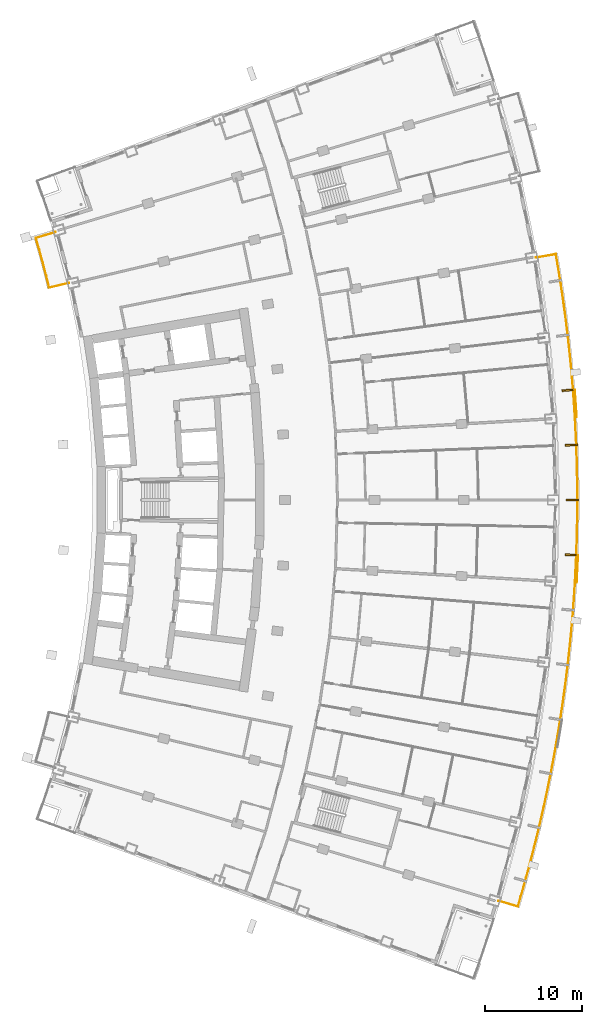
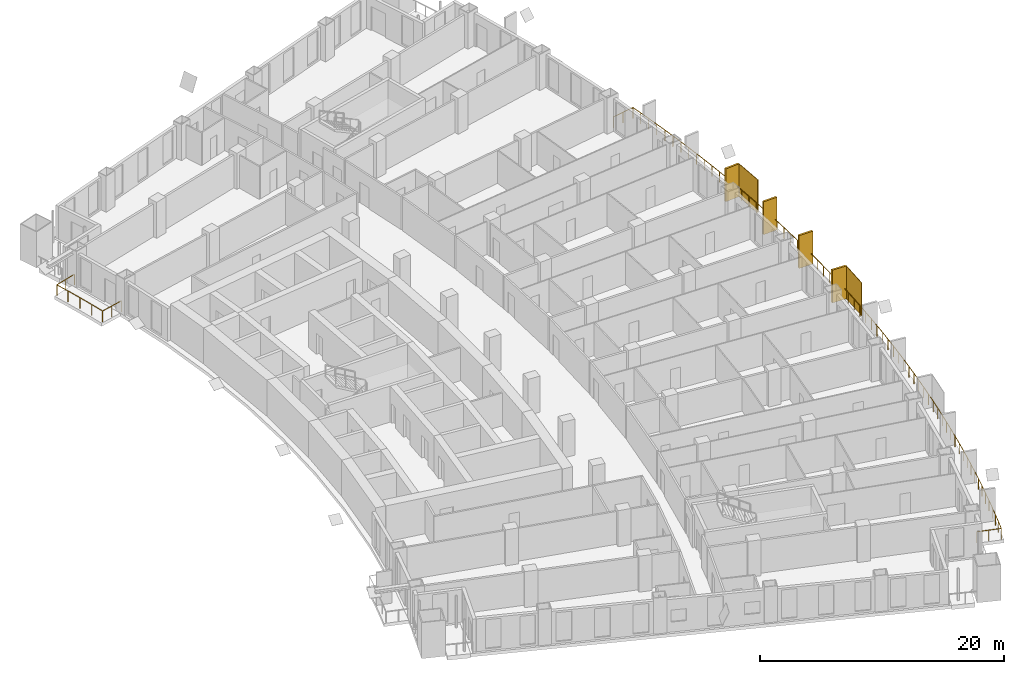
# One storey, part 23 of 24: 6 shading devices, 2 railings.
"""IFC4 building model written with IfcOpenShell, lengths in metres."""

from ifc_helpers import new_model, si_unit, direction, frame, origin, origin_2d, place, context, subcontext, project, spatial, rectangle, extrude, material, layer, layer_set, type_object, element, save


model = new_model("IFC4")

# Units and contexts
model_context = context("Model", 3, precision=1e-05, world=origin(), true_north=direction((0.0, 1.0)))
body_context = subcontext(model_context, "Body", "Model", "MODEL_VIEW")
ifc_project = project(units=[si_unit("LENGTHUNIT", "METRE"), si_unit("AREAUNIT", "SQUARE_METRE"), si_unit("VOLUMEUNIT", "CUBIC_METRE"), si_unit("PLANEANGLEUNIT", "RADIAN"), si_unit("MASSUNIT", "GRAM", prefix="KILO")], contexts=[model_context])

# Site, building, storey
site_placement = place(None, origin())
site = spatial("IfcSite", under=ifc_project, at=site_placement, CompositionType="ELEMENT")
building_placement = place(site_placement, origin())
building = spatial("IfcBuilding", under=site, at=building_placement, Name="Alderwake Tower", CompositionType="ELEMENT")
storey_placement = place(building_placement, frame((0.0, 0.0, 39.199951171875)))
storey = spatial("IfcBuildingStorey", under=building, at=storey_placement, Name="L08", CompositionType="ELEMENT", Elevation=39.199951171875)

# Railings
ifc_material_1 = material(Name="Stainless steel 316 rail and posts", Category="steel")
railing_type = type_object("IfcRailingType", Name="Balcony guard 1100", PredefinedType="GUARDRAIL", material=ifc_material_1)
railing_1_placement = place(storey_placement, frame((57.755126953125, 19.744873046875, 0.0)))
element("IfcRailing", 1, at=railing_1_placement, inside=storey, type_object=railing_type, Name="Guard BF02", PredefinedType="GUARDRAIL", context=body_context, shape_type="SweptSolid", body=[
    extrude(rectangle(XDim=0.048095703125, YDim=0.048095703125, at=origin_2d()), frame((0.0, 0.0, 1.076171875), z_axis=(0.957954179098, -0.286921227429, 0.0), x_axis=(0.286921227429, 0.957954179098, 0.0)), (0.0, 0.0, 1.0), 2.10009765625),
    extrude(rectangle(XDim=0.048095703125, YDim=0.048095703125, at=origin_2d()), frame((2.01171875, -0.6025390625, 1.076171875), z_axis=(0.280171060033, 0.959950090953, 0.0), x_axis=(-0.959950090953, 0.280171060033, 0.0)), (0.0, 0.0, 1.0), 2.02783203125),
    extrude(rectangle(XDim=0.048095703125, YDim=0.048095703125, at=origin_2d()), frame((2.579833984375, 1.343994140625, 1.076171875), z_axis=(0.266542966144, 0.963823037284, 0.0), x_axis=(-0.963823037284, 0.266542966144, 0.0)), (0.0, 0.0, 1.0), 2.127685546875),
    extrude(rectangle(XDim=0.048095703125, YDim=0.048095703125, at=origin_2d()), frame((3.14697265625, 3.394775390625, 1.076171875), z_axis=(0.252459268242, 0.967607522645, 0.0), x_axis=(-0.967607522645, 0.252459268242, 0.0)), (0.0, 0.0, 1.0), 2.12744140625),
    extrude(rectangle(XDim=0.048095703125, YDim=0.048095703125, at=origin_2d()), frame((3.68408203125, 5.453369140625, 1.076171875), z_axis=(0.238321589678, 0.971186295153, 0.0), x_axis=(-0.971186295153, 0.238321589678, 0.0)), (0.0, 0.0, 1.0), 2.127685546875),
    extrude(rectangle(XDim=0.048095703125, YDim=0.048095703125, at=origin_2d()), frame((4.191162109375, 7.519775390625, 1.076171875), z_axis=(0.22408012989, 0.974570723646, 0.0), x_axis=(-0.974570723646, 0.22408012989, 0.0)), (0.0, 0.0, 1.0), 2.1279296875),
    extrude(rectangle(XDim=0.048095703125, YDim=0.048095703125, at=origin_2d()), frame((4.66796875, 9.593505859375, 1.076171875), z_axis=(0.209866030644, 0.977730151515, 0.0), x_axis=(-0.977730151515, 0.209866030644, 0.0)), (0.0, 0.0, 1.0), 2.127685546875),
    extrude(rectangle(XDim=0.048095703125, YDim=0.048095703125, at=origin_2d()), frame((5.114501953125, 11.673828125, 1.076171875), z_axis=(0.195652690442, 0.980673250743, 0.0), x_axis=(-0.980673250743, 0.195652690442, 0.0)), (0.0, 0.0, 1.0), 2.12744140625),
    extrude(rectangle(XDim=0.048095703125, YDim=0.048095703125, at=origin_2d()), frame((5.53076171875, 13.76025390625, 1.076171875), z_axis=(0.1812880033, 0.98343004828, 0.0), x_axis=(-0.98343004828, 0.1812880033, 0.0)), (0.0, 0.0, 1.0), 2.127685546875),
    extrude(rectangle(XDim=0.048095703125, YDim=0.048095703125, at=origin_2d()), frame((5.91650390625, 15.852783203125, 1.076171875), z_axis=(0.166947539814, 0.985965779807, 0.0), x_axis=(-0.985965779807, 0.166947539814, 0.0)), (0.0, 0.0, 1.0), 2.127685546875),
    extrude(rectangle(XDim=0.048095703125, YDim=0.048095703125, at=origin_2d()), frame((6.271728515625, 17.95068359375, 1.076171875), z_axis=(0.152496916834, 0.988303946343, 0.0), x_axis=(-0.988303946343, 0.152496916834, 0.0)), (0.0, 0.0, 1.0), 2.127685546875),
    extrude(rectangle(XDim=0.048095703125, YDim=0.048095703125, at=origin_2d()), frame((6.59619140625, 20.053466796875, 1.076171875), z_axis=(0.138046822125, 0.990425703877, 0.0), x_axis=(-0.990425703877, 0.138046822125, 0.0)), (0.0, 0.0, 1.0), 2.12744140625),
    extrude(rectangle(XDim=0.048095703125, YDim=0.048095703125, at=origin_2d()), frame((6.889892578125, 22.16064453125, 1.076171875), z_axis=(0.123695786423, 0.992320186442, 0.0), x_axis=(-0.992320186442, 0.123695786423, 0.0)), (0.0, 0.0, 1.0), 2.127685546875),
    extrude(rectangle(XDim=0.048095703125, YDim=0.048095703125, at=origin_2d()), frame((7.153076171875, 24.27197265625, 1.076171875), z_axis=(0.109121667916, 0.994028400797, 0.0), x_axis=(-0.994028400797, 0.109121667916, 0.0)), (0.0, 0.0, 1.0), 2.127685546875),
    extrude(rectangle(XDim=0.048095703125, YDim=0.048095703125, at=origin_2d()), frame((7.38525390625, 26.386962890625, 1.076171875), z_axis=(0.094662891104, 0.995509385716, 0.0), x_axis=(-0.995509385716, 0.094662891104, 0.0)), (0.0, 0.0, 1.0), 2.127685546875),
    extrude(rectangle(XDim=0.048095703125, YDim=0.048095703125, at=origin_2d()), frame((7.586669921875, 28.505126953125, 1.076171875), z_axis=(0.080091823172, 0.99678748982, 0.0), x_axis=(-0.99678748982, 0.080091823172, 0.0)), (0.0, 0.0, 1.0), 2.127685546875),
    extrude(rectangle(XDim=0.048095703125, YDim=0.048095703125, at=origin_2d()), frame((7.757080078125, 30.6259765625, 1.076171875), z_axis=(0.065635530774, 0.997843663657, 0.0), x_axis=(-0.997843663657, 0.065635530774, 0.0)), (0.0, 0.0, 1.0), 2.127685546875),
    extrude(rectangle(XDim=0.048095703125, YDim=0.048095703125, at=origin_2d()), frame((7.896728515625, 32.7490234375, 1.076171875), z_axis=(0.051059231835, 0.998695626727, 0.0), x_axis=(-0.998695626727, 0.051059231835, 0.0)), (0.0, 0.0, 1.0), 2.127685546875),
    extrude(rectangle(XDim=0.048095703125, YDim=0.048095703125, at=origin_2d()), frame((8.00537109375, 34.8740234375, 1.076171875), z_axis=(0.036375038735, 0.999338209295, 0.0), x_axis=(-0.999338209295, 0.036375038735, 0.0)), (0.0, 0.0, 1.0), 2.127685546875),
    extrude(rectangle(XDim=0.048095703125, YDim=0.048095703125, at=origin_2d()), frame((8.082763671875, 37.000244140625, 1.076171875), z_axis=(0.021916001925, 0.999759815586, 0.0), x_axis=(-0.999759815586, 0.021916001925, 0.0)), (0.0, 0.0, 1.0), 2.127685546875),
    extrude(rectangle(XDim=0.048095703125, YDim=0.048095703125, at=origin_2d()), frame((8.12939453125, 39.12744140625, 1.076171875), z_axis=(0.007228726789, 0.999973872413, 0.0), x_axis=(-0.999973872413, 0.007228726789, 0.0)), (0.0, 0.0, 1.0), 2.127685546875),
    extrude(rectangle(XDim=0.048095703125, YDim=0.048095703125, at=origin_2d()), frame((8.144775390625, 41.255126953125, 1.076171875), z_axis=(-0.007228726789, 0.999973872413, 0.0), x_axis=(-0.999973872413, -0.007228726789, 0.0)), (0.0, 0.0, 1.0), 2.127685546875),
    extrude(rectangle(XDim=0.048095703125, YDim=0.048095703125, at=origin_2d()), frame((8.12939453125, 43.3828125, 1.076171875), z_axis=(-0.021916001925, 0.999759815586, 0.0), x_axis=(-0.999759815586, -0.021916001925, 0.0)), (0.0, 0.0, 1.0), 2.127685546875),
    extrude(rectangle(XDim=0.048095703125, YDim=0.048095703125, at=origin_2d()), frame((8.082763671875, 45.510009765625, 1.076171875), z_axis=(-0.036375038735, 0.999338209295, 0.0), x_axis=(-0.999338209295, -0.036375038735, 0.0)), (0.0, 0.0, 1.0), 2.127685546875),
    extrude(rectangle(XDim=0.048095703125, YDim=0.048095703125, at=origin_2d()), frame((8.00537109375, 47.63623046875, 1.076171875), z_axis=(-0.051059231835, 0.998695626727, 0.0), x_axis=(-0.998695626727, -0.051059231835, 0.0)), (0.0, 0.0, 1.0), 2.127685546875),
    extrude(rectangle(XDim=0.048095703125, YDim=0.048095703125, at=origin_2d()), frame((7.896728515625, 49.76123046875, 1.076171875), z_axis=(-0.065635530774, 0.997843663657, 0.0), x_axis=(-0.997843663657, -0.065635530774, 0.0)), (0.0, 0.0, 1.0), 2.127685546875),
    extrude(rectangle(XDim=0.048095703125, YDim=0.048095703125, at=origin_2d()), frame((7.757080078125, 51.88427734375, 1.076171875), z_axis=(-0.080091823172, 0.99678748982, 0.0), x_axis=(-0.99678748982, -0.080091823172, 0.0)), (0.0, 0.0, 1.0), 2.127685546875),
    extrude(rectangle(XDim=0.048095703125, YDim=0.048095703125, at=origin_2d()), frame((7.586669921875, 54.005126953125, 1.076171875), z_axis=(-0.094662891104, 0.995509385716, 0.0), x_axis=(-0.995509385716, -0.094662891104, 0.0)), (0.0, 0.0, 1.0), 2.127685546875),
    extrude(rectangle(XDim=0.048095703125, YDim=0.048095703125, at=origin_2d()), frame((7.38525390625, 56.123291015625, 1.076171875), z_axis=(-0.109121667916, 0.994028400797, 0.0), x_axis=(-0.994028400797, -0.109121667916, 0.0)), (0.0, 0.0, 1.0), 2.127685546875),
    extrude(rectangle(XDim=0.048095703125, YDim=0.048095703125, at=origin_2d()), frame((7.153076171875, 58.23828125, 1.076171875), z_axis=(-0.123695786423, 0.992320186442, 0.0), x_axis=(-0.992320186442, -0.123695786423, 0.0)), (0.0, 0.0, 1.0), 2.127685546875),
    extrude(rectangle(XDim=0.048095703125, YDim=0.048095703125, at=origin_2d()), frame((6.889892578125, 60.349609375, 1.076171875), z_axis=(-0.138046822125, 0.990425703877, 0.0), x_axis=(-0.990425703877, -0.138046822125, 0.0)), (0.0, 0.0, 1.0), 2.12744140625),
    extrude(rectangle(XDim=0.048095703125, YDim=0.048095703125, at=origin_2d()), frame((6.59619140625, 62.456787109375, 1.076171875), z_axis=(-0.152496916834, 0.988303946343, 0.0), x_axis=(-0.988303946343, -0.152496916834, 0.0)), (0.0, 0.0, 1.0), 2.127685546875),
    extrude(rectangle(XDim=0.048095703125, YDim=0.048095703125, at=origin_2d()), frame((6.271728515625, 64.5595703125, 1.076171875), z_axis=(-0.166624216453, 0.986020471639, 0.0), x_axis=(-0.986020471639, -0.166624216453, 0.0)), (0.0, 0.0, 1.0), 2.02783203125),
    extrude(rectangle(XDim=0.048095703125, YDim=0.048095703125, at=origin_2d()), frame((5.933837890625, 66.55908203125, 1.076171875), z_axis=(-0.984840855066, -0.173460341844, 0.0), x_axis=(0.173460341844, -0.984840855066, 0.0)), (0.0, 0.0, 1.0), 2.099853515625),
    extrude(rectangle(XDim=0.0419921875, YDim=0.0419921875, at=origin_2d()), frame((0.0, 0.0, 0.0), z_axis=(0.0, 0.0, 1.0), x_axis=(0.957954179098, -0.286921227429, 0.0)), (0.0, 0.0, 1.0), 1.052001953125),
    extrude(rectangle(XDim=0.0419921875, YDim=0.0419921875, at=origin_2d()), frame((1.005859375, -0.30126953125, 0.0), z_axis=(0.0, 0.0, 1.0), x_axis=(0.957954179098, -0.286921227429, 0.0)), (0.0, 0.0, 1.0), 1.052001953125),
    extrude(rectangle(XDim=0.0419921875, YDim=0.0419921875, at=origin_2d()), frame((2.01171875, -0.6025390625, 0.0), z_axis=(0.0, 0.0, 1.0), x_axis=(0.280171060033, 0.959950090953, 0.0)), (0.0, 0.0, 1.0), 1.052001953125),
    extrude(rectangle(XDim=0.0419921875, YDim=0.0419921875, at=origin_2d()), frame((2.2958984375, 0.37060546875, 0.0), z_axis=(0.0, 0.0, 1.0), x_axis=(0.280171060033, 0.959950090953, 0.0)), (0.0, 0.0, 1.0), 1.052001953125),
    extrude(rectangle(XDim=0.0419921875, YDim=0.0419921875, at=origin_2d()), frame((2.579833984375, 1.343994140625, 0.0), z_axis=(0.0, 0.0, 1.0), x_axis=(0.266542966144, 0.963823037284, 0.0)), (0.0, 0.0, 1.0), 1.052001953125),
    extrude(rectangle(XDim=0.0419921875, YDim=0.0419921875, at=origin_2d()), frame((2.86328125, 2.369384765625, 0.0), z_axis=(0.0, 0.0, 1.0), x_axis=(0.266542966144, 0.963823037284, 0.0)), (0.0, 0.0, 1.0), 1.052001953125),
    extrude(rectangle(XDim=0.0419921875, YDim=0.0419921875, at=origin_2d()), frame((3.14697265625, 3.394775390625, 0.0), z_axis=(0.0, 0.0, 1.0), x_axis=(0.252459268242, 0.967607522645, 0.0)), (0.0, 0.0, 1.0), 1.052001953125),
    extrude(rectangle(XDim=0.0419921875, YDim=0.0419921875, at=origin_2d()), frame((3.41552734375, 4.424072265625, 0.0), z_axis=(0.0, 0.0, 1.0), x_axis=(0.252459268242, 0.967607522645, 0.0)), (0.0, 0.0, 1.0), 1.052001953125),
    extrude(rectangle(XDim=0.0419921875, YDim=0.0419921875, at=origin_2d()), frame((3.68408203125, 5.453369140625, 0.0), z_axis=(0.0, 0.0, 1.0), x_axis=(0.238321589678, 0.971186295153, 0.0)), (0.0, 0.0, 1.0), 1.052001953125),
    extrude(rectangle(XDim=0.0419921875, YDim=0.0419921875, at=origin_2d()), frame((3.9375, 6.486572265625, 0.0), z_axis=(0.0, 0.0, 1.0), x_axis=(0.238321589678, 0.971186295153, 0.0)), (0.0, 0.0, 1.0), 1.052001953125),
    extrude(rectangle(XDim=0.0419921875, YDim=0.0419921875, at=origin_2d()), frame((4.191162109375, 7.519775390625, 0.0), z_axis=(0.0, 0.0, 1.0), x_axis=(0.22408012989, 0.974570723646, 0.0)), (0.0, 0.0, 1.0), 1.052001953125),
    extrude(rectangle(XDim=0.0419921875, YDim=0.0419921875, at=origin_2d()), frame((4.4296875, 8.556640625, 0.0), z_axis=(0.0, 0.0, 1.0), x_axis=(0.22408012989, 0.974570723646, 0.0)), (0.0, 0.0, 1.0), 1.052001953125),
    extrude(rectangle(XDim=0.0419921875, YDim=0.0419921875, at=origin_2d()), frame((4.66796875, 9.593505859375, 0.0), z_axis=(0.0, 0.0, 1.0), x_axis=(0.209866030644, 0.977730151515, 0.0)), (0.0, 0.0, 1.0), 1.052001953125),
    extrude(rectangle(XDim=0.0419921875, YDim=0.0419921875, at=origin_2d()), frame((4.89111328125, 10.6337890625, 0.0), z_axis=(0.0, 0.0, 1.0), x_axis=(0.209866030644, 0.977730151515, 0.0)), (0.0, 0.0, 1.0), 1.052001953125),
    extrude(rectangle(XDim=0.0419921875, YDim=0.0419921875, at=origin_2d()), frame((5.114501953125, 11.673828125, 0.0), z_axis=(0.0, 0.0, 1.0), x_axis=(0.195652690442, 0.980673250743, 0.0)), (0.0, 0.0, 1.0), 1.052001953125),
    extrude(rectangle(XDim=0.0419921875, YDim=0.0419921875, at=origin_2d()), frame((5.32275390625, 12.717041015625, 0.0), z_axis=(0.0, 0.0, 1.0), x_axis=(0.195652690442, 0.980673250743, 0.0)), (0.0, 0.0, 1.0), 1.052001953125),
    extrude(rectangle(XDim=0.0419921875, YDim=0.0419921875, at=origin_2d()), frame((5.53076171875, 13.76025390625, 0.0), z_axis=(0.0, 0.0, 1.0), x_axis=(0.1812880033, 0.98343004828, 0.0)), (0.0, 0.0, 1.0), 1.052001953125),
    extrude(rectangle(XDim=0.0419921875, YDim=0.0419921875, at=origin_2d()), frame((5.7236328125, 14.806640625, 0.0), z_axis=(0.0, 0.0, 1.0), x_axis=(0.1812880033, 0.98343004828, 0.0)), (0.0, 0.0, 1.0), 1.052001953125),
    extrude(rectangle(XDim=0.0419921875, YDim=0.0419921875, at=origin_2d()), frame((5.91650390625, 15.852783203125, 0.0), z_axis=(0.0, 0.0, 1.0), x_axis=(0.166947539814, 0.985965779807, 0.0)), (0.0, 0.0, 1.0), 1.052001953125),
    extrude(rectangle(XDim=0.0419921875, YDim=0.0419921875, at=origin_2d()), frame((6.09423828125, 16.90185546875, 0.0), z_axis=(0.0, 0.0, 1.0), x_axis=(0.166947539814, 0.985965779807, 0.0)), (0.0, 0.0, 1.0), 1.052001953125),
    extrude(rectangle(XDim=0.0419921875, YDim=0.0419921875, at=origin_2d()), frame((6.271728515625, 17.95068359375, 0.0), z_axis=(0.0, 0.0, 1.0), x_axis=(0.152496916834, 0.988303946343, 0.0)), (0.0, 0.0, 1.0), 1.052001953125),
    extrude(rectangle(XDim=0.0419921875, YDim=0.0419921875, at=origin_2d()), frame((6.43408203125, 19.001953125, 0.0), z_axis=(0.0, 0.0, 1.0), x_axis=(0.152496916834, 0.988303946343, 0.0)), (0.0, 0.0, 1.0), 1.052001953125),
    extrude(rectangle(XDim=0.0419921875, YDim=0.0419921875, at=origin_2d()), frame((6.59619140625, 20.053466796875, 0.0), z_axis=(0.0, 0.0, 1.0), x_axis=(0.138046822125, 0.990425703877, 0.0)), (0.0, 0.0, 1.0), 1.052001953125),
    extrude(rectangle(XDim=0.0419921875, YDim=0.0419921875, at=origin_2d()), frame((6.7431640625, 21.10693359375, 0.0), z_axis=(0.0, 0.0, 1.0), x_axis=(0.138046822125, 0.990425703877, 0.0)), (0.0, 0.0, 1.0), 1.052001953125),
    extrude(rectangle(XDim=0.0419921875, YDim=0.0419921875, at=origin_2d()), frame((6.889892578125, 22.16064453125, 0.0), z_axis=(0.0, 0.0, 1.0), x_axis=(0.123695786423, 0.992320186442, 0.0)), (0.0, 0.0, 1.0), 1.052001953125),
    extrude(rectangle(XDim=0.0419921875, YDim=0.0419921875, at=origin_2d()), frame((7.021484375, 23.21630859375, 0.0), z_axis=(0.0, 0.0, 1.0), x_axis=(0.123695786423, 0.992320186442, 0.0)), (0.0, 0.0, 1.0), 1.052001953125),
    extrude(rectangle(XDim=0.0419921875, YDim=0.0419921875, at=origin_2d()), frame((7.153076171875, 24.27197265625, 0.0), z_axis=(0.0, 0.0, 1.0), x_axis=(0.109121667916, 0.994028400797, 0.0)), (0.0, 0.0, 1.0), 1.052001953125),
    extrude(rectangle(XDim=0.0419921875, YDim=0.0419921875, at=origin_2d()), frame((7.26904296875, 25.32958984375, 0.0), z_axis=(0.0, 0.0, 1.0), x_axis=(0.109121667916, 0.994028400797, 0.0)), (0.0, 0.0, 1.0), 1.052001953125),
    extrude(rectangle(XDim=0.0419921875, YDim=0.0419921875, at=origin_2d()), frame((7.38525390625, 26.386962890625, 0.0), z_axis=(0.0, 0.0, 1.0), x_axis=(0.094662891104, 0.995509385716, 0.0)), (0.0, 0.0, 1.0), 1.052001953125),
    extrude(rectangle(XDim=0.0419921875, YDim=0.0419921875, at=origin_2d()), frame((7.48583984375, 27.446044921875, 0.0), z_axis=(0.0, 0.0, 1.0), x_axis=(0.094662891104, 0.995509385716, 0.0)), (0.0, 0.0, 1.0), 1.052001953125),
    extrude(rectangle(XDim=0.0419921875, YDim=0.0419921875, at=origin_2d()), frame((7.586669921875, 28.505126953125, 0.0), z_axis=(0.0, 0.0, 1.0), x_axis=(0.080091823172, 0.99678748982, 0.0)), (0.0, 0.0, 1.0), 1.052001953125),
    extrude(rectangle(XDim=0.0419921875, YDim=0.0419921875, at=origin_2d()), frame((7.671875, 29.5654296875, 0.0), z_axis=(0.0, 0.0, 1.0), x_axis=(0.080091823172, 0.99678748982, 0.0)), (0.0, 0.0, 1.0), 1.052001953125),
    extrude(rectangle(XDim=0.0419921875, YDim=0.0419921875, at=origin_2d()), frame((7.757080078125, 30.6259765625, 0.0), z_axis=(0.0, 0.0, 1.0), x_axis=(0.065635530774, 0.997843663657, 0.0)), (0.0, 0.0, 1.0), 1.052001953125),
    extrude(rectangle(XDim=0.0419921875, YDim=0.0419921875, at=origin_2d()), frame((7.826904296875, 31.6875, 0.0), z_axis=(0.0, 0.0, 1.0), x_axis=(0.065635530774, 0.997843663657, 0.0)), (0.0, 0.0, 1.0), 1.052001953125),
    extrude(rectangle(XDim=0.0419921875, YDim=0.0419921875, at=origin_2d()), frame((7.896728515625, 32.7490234375, 0.0), z_axis=(0.0, 0.0, 1.0), x_axis=(0.051059231835, 0.998695626727, 0.0)), (0.0, 0.0, 1.0), 1.052001953125),
    extrude(rectangle(XDim=0.0419921875, YDim=0.0419921875, at=origin_2d()), frame((7.951171875, 33.8115234375, 0.0), z_axis=(0.0, 0.0, 1.0), x_axis=(0.051059231835, 0.998695626727, 0.0)), (0.0, 0.0, 1.0), 1.052001953125),
    extrude(rectangle(XDim=0.0419921875, YDim=0.0419921875, at=origin_2d()), frame((8.00537109375, 34.8740234375, 0.0), z_axis=(0.0, 0.0, 1.0), x_axis=(0.036375038735, 0.999338209295, 0.0)), (0.0, 0.0, 1.0), 1.052001953125),
    extrude(rectangle(XDim=0.0419921875, YDim=0.0419921875, at=origin_2d()), frame((8.0439453125, 35.93701171875, 0.0), z_axis=(0.0, 0.0, 1.0), x_axis=(0.036375038735, 0.999338209295, 0.0)), (0.0, 0.0, 1.0), 1.052001953125),
    extrude(rectangle(XDim=0.0419921875, YDim=0.0419921875, at=origin_2d()), frame((8.082763671875, 37.000244140625, 0.0), z_axis=(0.0, 0.0, 1.0), x_axis=(0.021916001925, 0.999759815586, 0.0)), (0.0, 0.0, 1.0), 1.052001953125),
    extrude(rectangle(XDim=0.0419921875, YDim=0.0419921875, at=origin_2d()), frame((8.10595703125, 38.06396484375, 0.0), z_axis=(0.0, 0.0, 1.0), x_axis=(0.021916001925, 0.999759815586, 0.0)), (0.0, 0.0, 1.0), 1.052001953125),
    extrude(rectangle(XDim=0.0419921875, YDim=0.0419921875, at=origin_2d()), frame((8.12939453125, 39.12744140625, 0.0), z_axis=(0.0, 0.0, 1.0), x_axis=(0.007228726789, 0.999973872413, 0.0)), (0.0, 0.0, 1.0), 1.052001953125),
    extrude(rectangle(XDim=0.0419921875, YDim=0.0419921875, at=origin_2d()), frame((8.13720703125, 40.19140625, 0.0), z_axis=(0.0, 0.0, 1.0), x_axis=(0.007228726789, 0.999973872413, 0.0)), (0.0, 0.0, 1.0), 1.052001953125),
    extrude(rectangle(XDim=0.0419921875, YDim=0.0419921875, at=origin_2d()), frame((8.144775390625, 41.255126953125, 0.0), z_axis=(0.0, 0.0, 1.0), x_axis=(-0.007228726789, 0.999973872413, 0.0)), (0.0, 0.0, 1.0), 1.052001953125),
    extrude(rectangle(XDim=0.0419921875, YDim=0.0419921875, at=origin_2d()), frame((8.13720703125, 42.31884765625, 0.0), z_axis=(0.0, 0.0, 1.0), x_axis=(-0.007228726789, 0.999973872413, 0.0)), (0.0, 0.0, 1.0), 1.052001953125),
    extrude(rectangle(XDim=0.0419921875, YDim=0.0419921875, at=origin_2d()), frame((8.12939453125, 43.3828125, 0.0), z_axis=(0.0, 0.0, 1.0), x_axis=(-0.021916001925, 0.999759815586, 0.0)), (0.0, 0.0, 1.0), 1.052001953125),
    extrude(rectangle(XDim=0.0419921875, YDim=0.0419921875, at=origin_2d()), frame((8.10595703125, 44.4462890625, 0.0), z_axis=(0.0, 0.0, 1.0), x_axis=(-0.021916001925, 0.999759815586, 0.0)), (0.0, 0.0, 1.0), 1.052001953125),
    extrude(rectangle(XDim=0.0419921875, YDim=0.0419921875, at=origin_2d()), frame((8.082763671875, 45.510009765625, 0.0), z_axis=(0.0, 0.0, 1.0), x_axis=(-0.036375038735, 0.999338209295, 0.0)), (0.0, 0.0, 1.0), 1.052001953125),
    extrude(rectangle(XDim=0.0419921875, YDim=0.0419921875, at=origin_2d()), frame((8.0439453125, 46.5732421875, 0.0), z_axis=(0.0, 0.0, 1.0), x_axis=(-0.036375038735, 0.999338209295, 0.0)), (0.0, 0.0, 1.0), 1.052001953125),
    extrude(rectangle(XDim=0.0419921875, YDim=0.0419921875, at=origin_2d()), frame((8.00537109375, 47.63623046875, 0.0), z_axis=(0.0, 0.0, 1.0), x_axis=(-0.051059231835, 0.998695626727, 0.0)), (0.0, 0.0, 1.0), 1.052001953125),
    extrude(rectangle(XDim=0.0419921875, YDim=0.0419921875, at=origin_2d()), frame((7.951171875, 48.69873046875, 0.0), z_axis=(0.0, 0.0, 1.0), x_axis=(-0.051059231835, 0.998695626727, 0.0)), (0.0, 0.0, 1.0), 1.052001953125),
    extrude(rectangle(XDim=0.0419921875, YDim=0.0419921875, at=origin_2d()), frame((7.896728515625, 49.76123046875, 0.0), z_axis=(0.0, 0.0, 1.0), x_axis=(-0.065635530774, 0.997843663657, 0.0)), (0.0, 0.0, 1.0), 1.052001953125),
    extrude(rectangle(XDim=0.0419921875, YDim=0.0419921875, at=origin_2d()), frame((7.826904296875, 50.82275390625, 0.0), z_axis=(0.0, 0.0, 1.0), x_axis=(-0.065635530774, 0.997843663657, 0.0)), (0.0, 0.0, 1.0), 1.052001953125),
    extrude(rectangle(XDim=0.0419921875, YDim=0.0419921875, at=origin_2d()), frame((7.757080078125, 51.88427734375, 0.0), z_axis=(0.0, 0.0, 1.0), x_axis=(-0.080091823172, 0.99678748982, 0.0)), (0.0, 0.0, 1.0), 1.052001953125),
    extrude(rectangle(XDim=0.0419921875, YDim=0.0419921875, at=origin_2d()), frame((7.671875, 52.94482421875, 0.0), z_axis=(0.0, 0.0, 1.0), x_axis=(-0.080091823172, 0.99678748982, 0.0)), (0.0, 0.0, 1.0), 1.052001953125),
    extrude(rectangle(XDim=0.0419921875, YDim=0.0419921875, at=origin_2d()), frame((7.586669921875, 54.005126953125, 0.0), z_axis=(0.0, 0.0, 1.0), x_axis=(-0.094662891104, 0.995509385716, 0.0)), (0.0, 0.0, 1.0), 1.052001953125),
    extrude(rectangle(XDim=0.0419921875, YDim=0.0419921875, at=origin_2d()), frame((7.48583984375, 55.064208984375, 0.0), z_axis=(0.0, 0.0, 1.0), x_axis=(-0.094662891104, 0.995509385716, 0.0)), (0.0, 0.0, 1.0), 1.052001953125),
    extrude(rectangle(XDim=0.0419921875, YDim=0.0419921875, at=origin_2d()), frame((7.38525390625, 56.123291015625, 0.0), z_axis=(0.0, 0.0, 1.0), x_axis=(-0.109121667916, 0.994028400797, 0.0)), (0.0, 0.0, 1.0), 1.052001953125),
    extrude(rectangle(XDim=0.0419921875, YDim=0.0419921875, at=origin_2d()), frame((7.26904296875, 57.1806640625, 0.0), z_axis=(0.0, 0.0, 1.0), x_axis=(-0.109121667916, 0.994028400797, 0.0)), (0.0, 0.0, 1.0), 1.052001953125),
    extrude(rectangle(XDim=0.0419921875, YDim=0.0419921875, at=origin_2d()), frame((7.153076171875, 58.23828125, 0.0), z_axis=(0.0, 0.0, 1.0), x_axis=(-0.123695786423, 0.992320186442, 0.0)), (0.0, 0.0, 1.0), 1.052001953125),
    extrude(rectangle(XDim=0.0419921875, YDim=0.0419921875, at=origin_2d()), frame((7.021484375, 59.2939453125, 0.0), z_axis=(0.0, 0.0, 1.0), x_axis=(-0.123695786423, 0.992320186442, 0.0)), (0.0, 0.0, 1.0), 1.052001953125),
    extrude(rectangle(XDim=0.0419921875, YDim=0.0419921875, at=origin_2d()), frame((6.889892578125, 60.349609375, 0.0), z_axis=(0.0, 0.0, 1.0), x_axis=(-0.138046822125, 0.990425703877, 0.0)), (0.0, 0.0, 1.0), 1.052001953125),
    extrude(rectangle(XDim=0.0419921875, YDim=0.0419921875, at=origin_2d()), frame((6.7431640625, 61.4033203125, 0.0), z_axis=(0.0, 0.0, 1.0), x_axis=(-0.138046822125, 0.990425703877, 0.0)), (0.0, 0.0, 1.0), 1.052001953125),
    extrude(rectangle(XDim=0.0419921875, YDim=0.0419921875, at=origin_2d()), frame((6.59619140625, 62.456787109375, 0.0), z_axis=(0.0, 0.0, 1.0), x_axis=(-0.152496916834, 0.988303946343, 0.0)), (0.0, 0.0, 1.0), 1.052001953125),
    extrude(rectangle(XDim=0.0419921875, YDim=0.0419921875, at=origin_2d()), frame((6.43408203125, 63.50830078125, 0.0), z_axis=(0.0, 0.0, 1.0), x_axis=(-0.152496916834, 0.988303946343, 0.0)), (0.0, 0.0, 1.0), 1.052001953125),
    extrude(rectangle(XDim=0.0419921875, YDim=0.0419921875, at=origin_2d()), frame((6.271728515625, 64.5595703125, 0.0), z_axis=(0.0, 0.0, 1.0), x_axis=(-0.166624216453, 0.986020471639, 0.0)), (0.0, 0.0, 1.0), 1.052001953125),
    extrude(rectangle(XDim=0.0419921875, YDim=0.0419921875, at=origin_2d()), frame((6.102783203125, 65.559326171875, 0.0), z_axis=(0.0, 0.0, 1.0), x_axis=(-0.166624216453, 0.986020471639, 0.0)), (0.0, 0.0, 1.0), 1.052001953125),
    extrude(rectangle(XDim=0.0419921875, YDim=0.0419921875, at=origin_2d()), frame((5.933837890625, 66.55908203125, 0.0), z_axis=(0.0, 0.0, 1.0), x_axis=(-0.984840855066, -0.173460341844, 0.0)), (0.0, 0.0, 1.0), 1.052001953125),
    extrude(rectangle(XDim=0.0419921875, YDim=0.0419921875, at=origin_2d()), frame((4.89990234375, 66.376953125, 0.0), z_axis=(0.0, 0.0, 1.0), x_axis=(-0.984840855066, -0.173460341844, 0.0)), (0.0, 0.0, 1.0), 1.052001953125),
    extrude(rectangle(XDim=0.0419921875, YDim=0.0419921875, at=origin_2d()), frame((3.86572265625, 66.19482421875, 0.0), z_axis=(0.0, 0.0, 1.0), x_axis=(-0.984840855066, -0.173460341844, 0.0)), (0.0, 0.0, 1.0), 1.052001953125),
])
railing_2_placement = place(storey_placement, frame((13.5693359375, 83.343017578125, 0.0)))
element("IfcRailing", 2, at=railing_2_placement, inside=storey, type_object=railing_type, Name="Guard BR11", PredefinedType="GUARDRAIL", context=body_context, shape_type="SweptSolid", body=[
    extrude(rectangle(XDim=0.048095703125, YDim=0.048095703125, at=origin_2d()), frame((0.0, 0.0, 1.076171875), z_axis=(-0.972646310656, -0.232291098337, 0.0), x_axis=(0.232291098337, -0.972646310656, 0.0)), (0.0, 0.0, 1.0), 2.099853515625),
    extrude(rectangle(XDim=0.048095703125, YDim=0.048095703125, at=origin_2d()), frame((-2.04248046875, -0.48779296875, 1.076171875), z_axis=(-0.238877101641, 0.971049808358, 0.0), x_axis=(-0.971049808358, -0.238877101641, 0.0)), (0.0, 0.0, 1.0), 1.2724609375),
    extrude(rectangle(XDim=0.048095703125, YDim=0.048095703125, at=origin_2d()), frame((-2.346435546875, 0.747802734375, 1.076171875), z_axis=(-0.252487086228, 0.967600264204, 0.0), x_axis=(-0.967600264204, -0.252487086228, 0.0)), (0.0, 0.0, 1.0), 1.3720703125),
    extrude(rectangle(XDim=0.048095703125, YDim=0.048095703125, at=origin_2d()), frame((-2.69287109375, 2.075439453125, 1.076171875), z_axis=(-0.266487604617, 0.963838345671, 0.0), x_axis=(-0.963838345671, -0.266487604617, 0.0)), (0.0, 0.0, 1.0), 1.372314453125),
    extrude(rectangle(XDim=0.048095703125, YDim=0.048095703125, at=origin_2d()), frame((-3.05859375, 3.398193359375, 1.076171875), z_axis=(-0.279963157487, 0.960010744966, 0.0), x_axis=(-0.960010744966, -0.279963157487, 0.0)), (0.0, 0.0, 1.0), 1.272216796875),
    extrude(rectangle(XDim=0.048095703125, YDim=0.048095703125, at=origin_2d()), frame((-3.414794921875, 4.61962890625, 1.076171875), z_axis=(0.958091458885, 0.286462486918, 0.0), x_axis=(-0.286462486918, 0.958091458885, 0.0)), (0.0, 0.0, 1.0), 2.099853515625),
    extrude(rectangle(XDim=0.0419921875, YDim=0.0419921875, at=origin_2d()), frame((0.0, 0.0, 0.0), z_axis=(0.0, 0.0, 1.0), x_axis=(-0.972646310656, -0.232291098337, 0.0)), (0.0, 0.0, 1.0), 1.052001953125),
    extrude(rectangle(XDim=0.0419921875, YDim=0.0419921875, at=origin_2d()), frame((-1.021240234375, -0.243896484375, 0.0), z_axis=(0.0, 0.0, 1.0), x_axis=(-0.972646310656, -0.232291098337, 0.0)), (0.0, 0.0, 1.0), 1.052001953125),
    extrude(rectangle(XDim=0.0419921875, YDim=0.0419921875, at=origin_2d()), frame((-2.04248046875, -0.48779296875, 0.0), z_axis=(0.0, 0.0, 1.0), x_axis=(-0.238877101641, 0.971049808358, 0.0)), (0.0, 0.0, 1.0), 1.052001953125),
    extrude(rectangle(XDim=0.0419921875, YDim=0.0419921875, at=origin_2d()), frame((-2.346435546875, 0.747802734375, 0.0), z_axis=(0.0, 0.0, 1.0), x_axis=(-0.252487086228, 0.967600264204, 0.0)), (0.0, 0.0, 1.0), 1.052001953125),
    extrude(rectangle(XDim=0.0419921875, YDim=0.0419921875, at=origin_2d()), frame((-2.69287109375, 2.075439453125, 0.0), z_axis=(0.0, 0.0, 1.0), x_axis=(-0.266487604617, 0.963838345671, 0.0)), (0.0, 0.0, 1.0), 1.052001953125),
    extrude(rectangle(XDim=0.0419921875, YDim=0.0419921875, at=origin_2d()), frame((-3.05859375, 3.398193359375, 0.0), z_axis=(0.0, 0.0, 1.0), x_axis=(-0.279963157487, 0.960010744966, 0.0)), (0.0, 0.0, 1.0), 1.052001953125),
    extrude(rectangle(XDim=0.0419921875, YDim=0.0419921875, at=origin_2d()), frame((-3.414794921875, 4.61962890625, 0.0), z_axis=(0.0, 0.0, 1.0), x_axis=(0.958091458885, 0.286462486918, 0.0)), (0.0, 0.0, 1.0), 1.052001953125),
    extrude(rectangle(XDim=0.0419921875, YDim=0.0419921875, at=origin_2d()), frame((-2.40869140625, 4.92041015625, 0.0), z_axis=(0.0, 0.0, 1.0), x_axis=(0.958091458885, 0.286462486918, 0.0)), (0.0, 0.0, 1.0), 1.052001953125),
    extrude(rectangle(XDim=0.0419921875, YDim=0.0419921875, at=origin_2d()), frame((-1.40283203125, 5.22119140625, 0.0), z_axis=(0.0, 0.0, 1.0), x_axis=(0.958091458885, 0.286462486918, 0.0)), (0.0, 0.0, 1.0), 1.052001953125),
])

# Shading devices
ifc_material_2 = material(Name="Bronze anodised aluminium", Category="aluminium")
ifc_layer_1 = layer(ifc_material_2, 0.179931640625)
ifc_layer_set_1 = layer_set([ifc_layer_1], Name="Facade fin 1300")
shading_device_type_1 = type_object("IfcShadingDeviceType", Name="Facade fin 1300", PredefinedType="USERDEFINED", material=ifc_layer_set_1)
for number, where, z_axis, x_axis, name in (
    (3, (65.2900390625, 55.345458984375, 0.0), (0.0, 0.0, 1.0), (0.999243494356, -0.038890088543, 0.0), "Fin"),
    (4, (65.39990234375, 61.0, 0.0), (0.0, 0.0, 1.0), (1.0, 0.0, 0.0), "Fin"),
    (5, (65.2900390625, 66.654541015625, 0.0), (0.0, 0.0, 1.0), (0.999243494356, 0.038890088543, 0.0), "Fin"),
    (6, (64.960205078125, 72.30078125, 0.0), (0.0, 0.0, 1.0), (0.996975122026, 0.077721335943, 0.0), "Fin"),
):
    element("IfcShadingDevice", number, at=place(storey_placement, frame(where, z_axis=z_axis, x_axis=x_axis)), inside=storey, type_object=shading_device_type_1, Name=name, ObjectType="FIN", PredefinedType="USERDEFINED", context=body_context, shape_type="SweptSolid", body=[
        extrude(rectangle(XDim=1.300048828125, YDim=0.179931640625, at=origin_2d()), origin(), (0.0, 0.0, 1.0), 3.280029296875),
    ])
ifc_material_3 = material(Name="Perforated bronze anodised aluminium", Category="aluminium")
ifc_layer_2 = layer(ifc_material_3, 0.050048828125)
ifc_layer_set_2 = layer_set([ifc_layer_2], Name="Perforated screen panel")
shading_device_type_2 = type_object("IfcShadingDeviceType", Name="Perforated screen panel", PredefinedType="USERDEFINED", material=ifc_layer_set_2)
shading_device_1_placement = place(storey_placement, frame((65.895751953125, 53.90380859375, 0.0), z_axis=(0.0, 0.0, 1.0), x_axis=(0.998819231138, -0.048581308217, 0.0)))
element("IfcShadingDevice", 7, at=shading_device_1_placement, inside=storey, type_object=shading_device_type_2, Name="Screen panel", ObjectType="SCREEN", PredefinedType="USERDEFINED", context=body_context, shape_type="SweptSolid", body=[
    extrude(rectangle(XDim=0.050048828125, YDim=2.833740234375, at=origin_2d()), origin(), (0.0, 0.0, 1.0), 3.280029296875),
])
shading_device_2_placement = place(storey_placement, frame((65.72998046875, 70.932373046875, 0.0), z_axis=(0.0, 0.0, 1.0), x_axis=(0.997685465774, 0.067997877779, 0.0)))
element("IfcShadingDevice", 8, at=shading_device_2_placement, inside=storey, type_object=shading_device_type_2, Name="Screen panel", ObjectType="SCREEN", PredefinedType="USERDEFINED", context=body_context, shape_type="SweptSolid", body=[
    extrude(rectangle(XDim=0.050048828125, YDim=2.848388671875, at=origin_2d()), origin(), (0.0, 0.0, 1.0), 3.280029296875),
])

save(model, "model.ifc")
